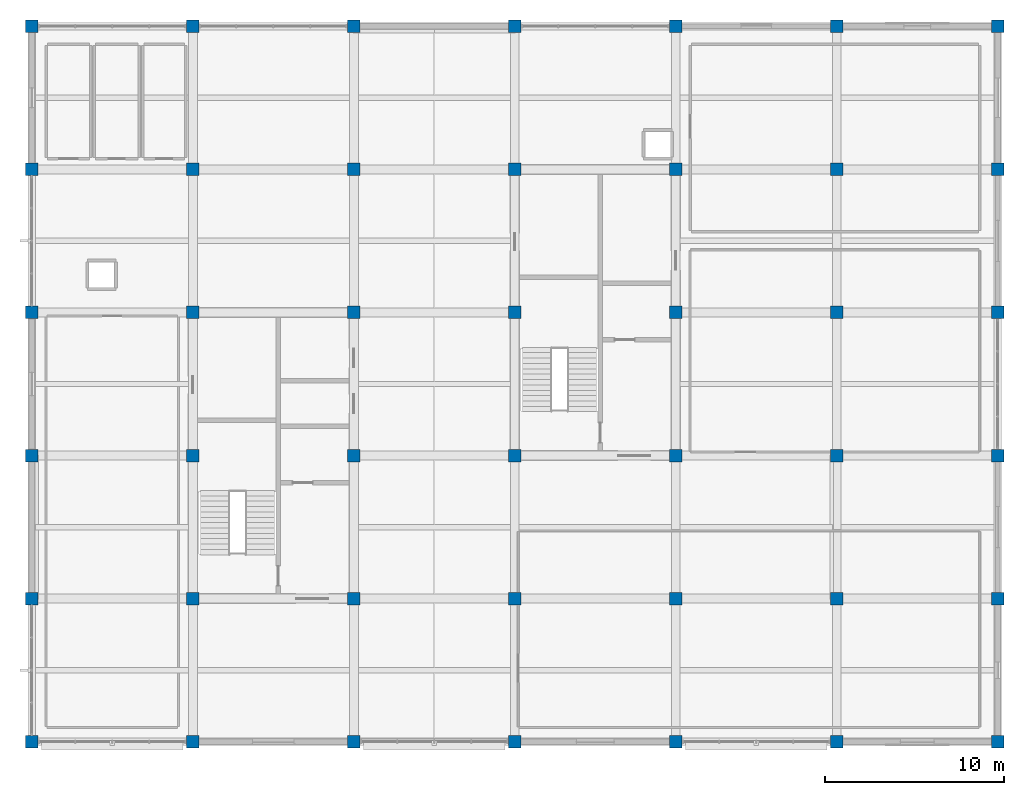
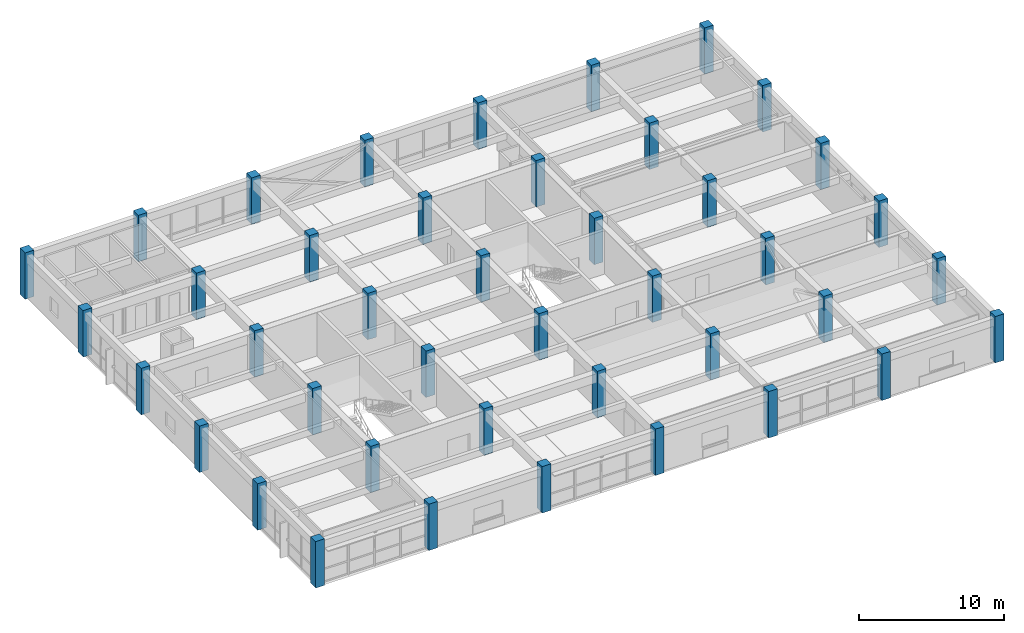
# One storey, part 1 of 13: 42 columns.
"""IFC4 building model written with IfcOpenShell, lengths in metres."""

import ifcopenshell
import ifcopenshell.guid

model = None  # the IFC model being written
_history = None  # IfcOwnerHistory: only IFC2X3 demands one
_inside = {}  # id of a spatial element -> (the spatial element, [elements in it])
_under = {}  # id of a project, library or spatial element -> (it, [spatial elements below it])
_declared = {}  # id of a project -> (the project, [libraries it declares])
_typed = {}  # id of a type object -> (the type object, [elements of that type])
_made_of = {}  # id of a material, layer set ... -> (it, [elements and type objects made of it])


def new_model(schema):
    """Start an empty IFC model of exactly this schema.

    Asked for "IFC4X3", IfcOpenShell would pick the latest addendum, in which some entities
    have other attributes; the version numbers below select the first issue.
    IFC2X3 requires an IfcOwnerHistory on every rooted entity: one is made here for all.
    """
    global model, _history
    if schema == "IFC4X3":
        model = ifcopenshell.file(schema_version=(4, 3, 0, 0))
    else:
        model = ifcopenshell.file(schema=schema)
    _inside.clear()
    _under.clear()
    _declared.clear()
    _typed.clear()
    _made_of.clear()
    _history = None
    if model.schema == "IFC2X3":
        org = make("IfcOrganization", Name="unknown")
        user = make(
            "IfcPersonAndOrganization",
            ThePerson=make("IfcPerson", FamilyName="unknown"),
            TheOrganization=org,
        )
        app = make(
            "IfcApplication",
            ApplicationDeveloper=org,
            Version="unknown",
            ApplicationFullName="unknown",
            ApplicationIdentifier="unknown",
        )
        _history = make(
            "IfcOwnerHistory",
            OwningUser=user,
            OwningApplication=app,
            ChangeAction="ADDED",
            CreationDate=0,
        )
    return model


def make(cls, **values):
    """One entity of the class cls with the attributes given. An attribute that is None is left unset."""
    return model.create_entity(
        cls, **{name: value for name, value in values.items() if value is not None}
    )


def rooted(cls, **values):
    """An entity with a GlobalId (a new one), such as an element, a storey or a relation."""
    return make(cls, GlobalId=ifcopenshell.guid.new(), OwnerHistory=_history, **values)


def si_unit(unit_type, name, prefix=None):
    """IfcSIUnit, for example si_unit("LENGTHUNIT", "METRE", prefix="MILLI")."""
    return make("IfcSIUnit", UnitType=unit_type, Prefix=prefix, Name=name)


def assignment(units):
    """IfcUnitAssignment: the units of a project."""
    return None if units is None else make("IfcUnitAssignment", Units=units)


def point(xyz):
    """IfcCartesianPoint."""
    return None if xyz is None else make("IfcCartesianPoint", Coordinates=xyz)


def direction(xyz):
    """IfcDirection."""
    return None if xyz is None else make("IfcDirection", DirectionRatios=xyz)


def frame(location, z_axis=None, x_axis=None):
    """IfcAxis2Placement3D, a coordinate frame: its origin and axes. An axis left out is left unset."""
    return make(
        "IfcAxis2Placement3D",
        Location=point(location),
        Axis=direction(z_axis),
        RefDirection=direction(x_axis),
    )


def frame_2d(location, x_axis=None):
    """IfcAxis2Placement2D, a coordinate frame in the plane: its origin and x axis."""
    return make(
        "IfcAxis2Placement2D", Location=point(location), RefDirection=direction(x_axis)
    )


def origin():
    """The frame at (0, 0, 0) with its axes left unset."""
    return frame((0.0, 0.0, 0.0))


def origin_2d():
    """The frame at (0, 0) in the plane with its x axis left unset."""
    return frame_2d((0.0, 0.0))


def place(relative_to, where):
    """IfcLocalPlacement: puts the frame where relative to a parent placement (None: the world)."""
    return make(
        "IfcLocalPlacement", PlacementRelTo=relative_to, RelativePlacement=where
    )


def context(
    kind, dimensions, precision=None, world=None, true_north=None, identifier=None
):
    """IfcGeometricRepresentationContext, for example the 3D "Model" context."""
    return make(
        "IfcGeometricRepresentationContext",
        ContextIdentifier=identifier,
        ContextType=kind,
        CoordinateSpaceDimension=dimensions,
        Precision=precision,
        WorldCoordinateSystem=world,
        TrueNorth=true_north,
    )


def subcontext(parent, identifier, kind, view, scale=None):
    """IfcGeometricRepresentationSubContext, for example "Body" below "Model"."""
    return make(
        "IfcGeometricRepresentationSubContext",
        ContextIdentifier=identifier,
        ContextType=kind,
        ParentContext=parent,
        TargetScale=scale,
        TargetView=view,
    )


def project(units=None, contexts=None):
    """IfcProject with its units and contexts."""
    return rooted(
        "IfcProject",
        Name="project",
        RepresentationContexts=contexts,
        UnitsInContext=assignment(units),
    )


def spatial(cls, under=None, at=None, **own):
    """A site, building, storey or space (cls), placed at a placement, below another one or the project."""
    s = rooted(cls, ObjectPlacement=at, **own)
    if under is not None:
        _under.setdefault(under.id(), (under, []))[1].append(s)
    return s


def profile(cls, at=None, kind="AREA", **sizes):
    """A parametric profile (cls). Its sizes go by their IFC names, for example OverallWidth=200.0."""
    return make(cls, ProfileType=kind, Position=at, **sizes)


def rectangle(**sizes):
    """IfcRectangleProfileDef."""
    return profile("IfcRectangleProfileDef", **sizes)


def extrude(swept, where, along, depth):
    """IfcExtrudedAreaSolid: the profile swept, set in the frame where, extruded along a direction by depth."""
    return make(
        "IfcExtrudedAreaSolid",
        SweptArea=swept,
        Position=where,
        ExtrudedDirection=direction(along),
        Depth=depth,
    )


def shape(context_of_items, identifier, shape_type, items):
    """IfcShapeRepresentation: the items that make up one representation, for example the "Body"."""
    return make(
        "IfcShapeRepresentation",
        ContextOfItems=context_of_items,
        RepresentationIdentifier=identifier,
        RepresentationType=shape_type,
        Items=items,
    )


def material(Name=None, Category=None):
    """IfcMaterial."""
    return make("IfcMaterial", Name=Name, Category=Category)


def material_profile(
    of_material, cross_section, Name=None, Category=None, Priority=None
):
    """IfcMaterialProfile: a cross section and its material."""
    return make(
        "IfcMaterialProfile",
        Name=Name,
        Material=of_material,
        Profile=cross_section,
        Priority=Priority,
        Category=Category,
    )


def profile_set(profiles, Name=None, composite=None):
    """IfcMaterialProfileSet."""
    return make(
        "IfcMaterialProfileSet",
        Name=Name,
        MaterialProfiles=profiles,
        CompositeProfile=composite,
    )


def made_of(thing, what):
    """Note that an element or type object is made of a material, layer set ...; save() writes the relation."""
    if what is not None:
        _made_of.setdefault(what.id(), (what, []))[1].append(thing)
    return thing


def type_object(cls, material=None, **own):
    """A type object (cls), such as IfcWallType, which elements share."""
    return made_of(rooted(cls, **own), material)


def element(
    cls,
    number,
    at=None,
    inside=None,
    cuts=None,
    type_object=None,
    material=None,
    context=None,
    identifier="Body",
    shape_type=None,
    held_by="IfcProductDefinitionShape",
    body=None,
    shapes=None,
    **own,
):
    """One element of the class cls, such as IfcWall. Its Tag is "e" and its number.

    at: its placement. inside: the storey or other place that contains it. cuts: it is an
    opening in that element (IfcRelVoidsElement). A single representation is given by context,
    identifier, shape_type and body (its items); several are given by shapes. held_by: the class
    of the entity that holds the representations. save() writes the other relations.
    """
    e = rooted(cls, Tag="e%d" % number, ObjectPlacement=at, **own)
    if body is not None:
        shapes = [shape(context, identifier, shape_type, body)]
    if shapes is not None:
        e.Representation = make(held_by, Representations=shapes)
    if inside is not None:
        _inside.setdefault(inside.id(), (inside, []))[1].append(e)
    if cuts is not None:
        rooted(
            "IfcRelVoidsElement", RelatingBuildingElement=cuts, RelatedOpeningElement=e
        )
    if type_object is not None:
        _typed.setdefault(type_object.id(), (type_object, []))[1].append(e)
    return made_of(e, material)


def aggregate(whole, parts):
    """IfcRelAggregates: a whole, such as a stair, and the parts it consists of."""
    return rooted("IfcRelAggregates", RelatingObject=whole, RelatedObjects=parts)


def save(model, path):
    """Write the relations noted so far, then the file.

    IfcRelAggregates (storeys below a building ...), IfcRelContainedInSpatialStructure (elements
    in a storey), IfcRelDefinesByType, IfcRelAssociatesMaterial and IfcRelDeclares: one each for
    every whole, place, type object, material and project.
    """
    for whole, parts in _under.values():
        aggregate(whole, parts)
    for where, things in _inside.values():
        rooted(
            "IfcRelContainedInSpatialStructure",
            RelatedElements=things,
            RelatingStructure=where,
        )
    for kind, things in _typed.values():
        rooted("IfcRelDefinesByType", RelatedObjects=things, RelatingType=kind)
    for what, things in _made_of.values():
        rooted("IfcRelAssociatesMaterial", RelatedObjects=things, RelatingMaterial=what)
    for by, libraries in _declared.values():
        rooted("IfcRelDeclares", RelatingContext=by, RelatedDefinitions=libraries)
    model.write(path)


model = new_model("IFC4")

# Units and contexts
model_context = context("Model", 3, precision=1e-05, world=origin(), true_north=direction((0.0, 1.0)))
body_context = subcontext(model_context, "Body", "Model", "MODEL_VIEW")
ifc_project = project(units=[si_unit("LENGTHUNIT", "METRE"), si_unit("AREAUNIT", "SQUARE_METRE"), si_unit("VOLUMEUNIT", "CUBIC_METRE"), si_unit("PLANEANGLEUNIT", "RADIAN"), si_unit("MASSUNIT", "GRAM", prefix="KILO")], contexts=[model_context])

# Site, building, storey
site_placement = place(None, origin())
site = spatial("IfcSite", under=ifc_project, at=site_placement, CompositionType="ELEMENT")
building_placement = place(site_placement, origin())
building = spatial("IfcBuilding", under=site, at=building_placement, Name="Zaverband Oceanarium and Marine Research Institute", CompositionType="ELEMENT")
storey_placement = place(building_placement, frame((0.0, 0.0, 60.89990234375)))
storey = spatial("IfcBuildingStorey", under=building, at=storey_placement, Name="L15", CompositionType="ELEMENT", Elevation=60.89990234375)

# Columns
ifc_material = material(Name="Concrete C50/60", Category="concrete")
ifc_material_profile = material_profile(ifc_material, rectangle(XDim=0.699951171875, YDim=0.699951171875, at=origin_2d()), Name="RC700x700")
ifc_profile_set = profile_set([ifc_material_profile], Name="Concrete C50/60")
column_type = type_object("IfcColumnType", Name="COL-C700", PredefinedType="COLUMN", material=ifc_profile_set)
for number, where, z_axis, x_axis, name in (
    (1, (9.0, 72.0, 0.0), (0.0, 0.0, 1.0), (1.0, 0.0, 0.0), "Reinforced concrete column RC700x700 COL-C700"),
    (2, (9.0, 80.0, 0.0), (0.0, 0.0, 1.0), (1.0, 0.0, 0.0), "Reinforced concrete column RC700x700 COL-C700"),
    (3, (9.0, 88.0, 0.0), (0.0, 0.0, 1.0), (1.0, 0.0, 0.0), "Reinforced concrete column RC700x700 COL-C700"),
    (4, (9.0, 96.0, 0.0), (0.0, 0.0, 1.0), (1.0, 0.0, 0.0), "Reinforced concrete column RC700x700 COL-C700"),
    (5, (9.0, 104.0, 0.0), (0.0, 0.0, 1.0), (1.0, 0.0, 0.0), "Reinforced concrete column RC700x700 COL-C700"),
    (6, (9.0, 112.0, 0.0), (0.0, 0.0, 1.0), (1.0, 0.0, 0.0), "Reinforced concrete column RC700x700 COL-C700"),
    (7, (18.0, 72.0, 0.0), (0.0, 0.0, 1.0), (1.0, 0.0, 0.0), "Reinforced concrete column RC700x700 COL-C700"),
    (8, (18.0, 80.0, 0.0), (0.0, 0.0, 1.0), (1.0, 0.0, 0.0), "Reinforced concrete column RC700x700 COL-C700"),
    (9, (18.0, 88.0, 0.0), (0.0, 0.0, 1.0), (1.0, 0.0, 0.0), "Reinforced concrete column RC700x700 COL-C700"),
    (10, (18.0, 96.0, 0.0), (0.0, 0.0, 1.0), (1.0, 0.0, 0.0), "Reinforced concrete column RC700x700 COL-C700"),
    (11, (18.0, 104.0, 0.0), (0.0, 0.0, 1.0), (1.0, 0.0, 0.0), "Reinforced concrete column RC700x700 COL-C700"),
    (12, (18.0, 112.0, 0.0), (0.0, 0.0, 1.0), (1.0, 0.0, 0.0), "Reinforced concrete column RC700x700 COL-C700"),
    (13, (27.0, 72.0, 0.0), (0.0, 0.0, 1.0), (1.0, 0.0, 0.0), "Reinforced concrete column RC700x700 COL-C700"),
    (14, (27.0, 80.0, 0.0), (0.0, 0.0, 1.0), (1.0, 0.0, 0.0), "Reinforced concrete column RC700x700 COL-C700"),
    (15, (27.0, 88.0, 0.0), (0.0, 0.0, 1.0), (1.0, 0.0, 0.0), "Reinforced concrete column RC700x700 COL-C700"),
    (16, (27.0, 96.0, 0.0), (0.0, 0.0, 1.0), (1.0, 0.0, 0.0), "Reinforced concrete column RC700x700 COL-C700"),
    (17, (27.0, 104.0, 0.0), (0.0, 0.0, 1.0), (1.0, 0.0, 0.0), "Reinforced concrete column RC700x700 COL-C700"),
    (18, (27.0, 112.0, 0.0), (0.0, 0.0, 1.0), (1.0, 0.0, 0.0), "Reinforced concrete column RC700x700 COL-C700"),
    (19, (36.0, 72.0, 0.0), (0.0, 0.0, 1.0), (1.0, 0.0, 0.0), "Reinforced concrete column RC700x700 COL-C700"),
    (20, (36.0, 80.0, 0.0), (0.0, 0.0, 1.0), (1.0, 0.0, 0.0), "Reinforced concrete column RC700x700 COL-C700"),
    (21, (36.0, 88.0, 0.0), (0.0, 0.0, 1.0), (1.0, 0.0, 0.0), "Reinforced concrete column RC700x700 COL-C700"),
    (22, (36.0, 96.0, 0.0), (0.0, 0.0, 1.0), (1.0, 0.0, 0.0), "Reinforced concrete column RC700x700 COL-C700"),
    (23, (36.0, 104.0, 0.0), (0.0, 0.0, 1.0), (1.0, 0.0, 0.0), "Reinforced concrete column RC700x700 COL-C700"),
    (24, (36.0, 112.0, 0.0), (0.0, 0.0, 1.0), (1.0, 0.0, 0.0), "Reinforced concrete column RC700x700 COL-C700"),
    (25, (45.0, 72.0, 0.0), (0.0, 0.0, 1.0), (1.0, 0.0, 0.0), "Reinforced concrete column RC700x700 COL-C700"),
    (26, (45.0, 80.0, 0.0), (0.0, 0.0, 1.0), (1.0, 0.0, 0.0), "Reinforced concrete column RC700x700 COL-C700"),
    (27, (45.0, 88.0, 0.0), (0.0, 0.0, 1.0), (1.0, 0.0, 0.0), "Reinforced concrete column RC700x700 COL-C700"),
    (28, (45.0, 96.0, 0.0), (0.0, 0.0, 1.0), (1.0, 0.0, 0.0), "Reinforced concrete column RC700x700 COL-C700"),
    (29, (45.0, 104.0, 0.0), (0.0, 0.0, 1.0), (1.0, 0.0, 0.0), "Reinforced concrete column RC700x700 COL-C700"),
    (30, (45.0, 112.0, 0.0), (0.0, 0.0, 1.0), (1.0, 0.0, 0.0), "Reinforced concrete column RC700x700 COL-C700"),
    (31, (54.0, 72.0, 0.0), (0.0, 0.0, 1.0), (1.0, 0.0, 0.0), "Reinforced concrete column RC700x700 COL-C700"),
    (32, (54.0, 80.0, 0.0), (0.0, 0.0, 1.0), (1.0, 0.0, 0.0), "Reinforced concrete column RC700x700 COL-C700"),
    (33, (54.0, 88.0, 0.0), (0.0, 0.0, 1.0), (1.0, 0.0, 0.0), "Reinforced concrete column RC700x700 COL-C700"),
    (34, (54.0, 96.0, 0.0), (0.0, 0.0, 1.0), (1.0, 0.0, 0.0), "Reinforced concrete column RC700x700 COL-C700"),
    (35, (54.0, 104.0, 0.0), (0.0, 0.0, 1.0), (1.0, 0.0, 0.0), "Reinforced concrete column RC700x700 COL-C700"),
    (36, (54.0, 112.0, 0.0), (0.0, 0.0, 1.0), (1.0, 0.0, 0.0), "Reinforced concrete column RC700x700 COL-C700"),
    (37, (63.0, 72.0, 0.0), (0.0, 0.0, 1.0), (1.0, 0.0, 0.0), "Reinforced concrete column RC700x700 COL-C700"),
    (38, (63.0, 80.0, 0.0), (0.0, 0.0, 1.0), (1.0, 0.0, 0.0), "Reinforced concrete column RC700x700 COL-C700"),
    (39, (63.0, 88.0, 0.0), (0.0, 0.0, 1.0), (1.0, 0.0, 0.0), "Reinforced concrete column RC700x700 COL-C700"),
    (40, (63.0, 96.0, 0.0), (0.0, 0.0, 1.0), (1.0, 0.0, 0.0), "Reinforced concrete column RC700x700 COL-C700"),
    (41, (63.0, 104.0, 0.0), (0.0, 0.0, 1.0), (1.0, 0.0, 0.0), "Reinforced concrete column RC700x700 COL-C700"),
    (42, (63.0, 112.0, 0.0), (0.0, 0.0, 1.0), (1.0, 0.0, 0.0), "Reinforced concrete column RC700x700 COL-C700"),
):
    element("IfcColumn", number, at=place(storey_placement, frame(where, z_axis=z_axis, x_axis=x_axis)), inside=storey, type_object=column_type, Name=name, PredefinedType="COLUMN", context=body_context, shape_type="SweptSolid", body=[
        extrude(rectangle(XDim=0.699951171875, YDim=0.699951171875, at=origin_2d()), origin(), (0.0, 0.0, 1.0), 3.900146484375),
    ])

save(model, "model.ifc")
